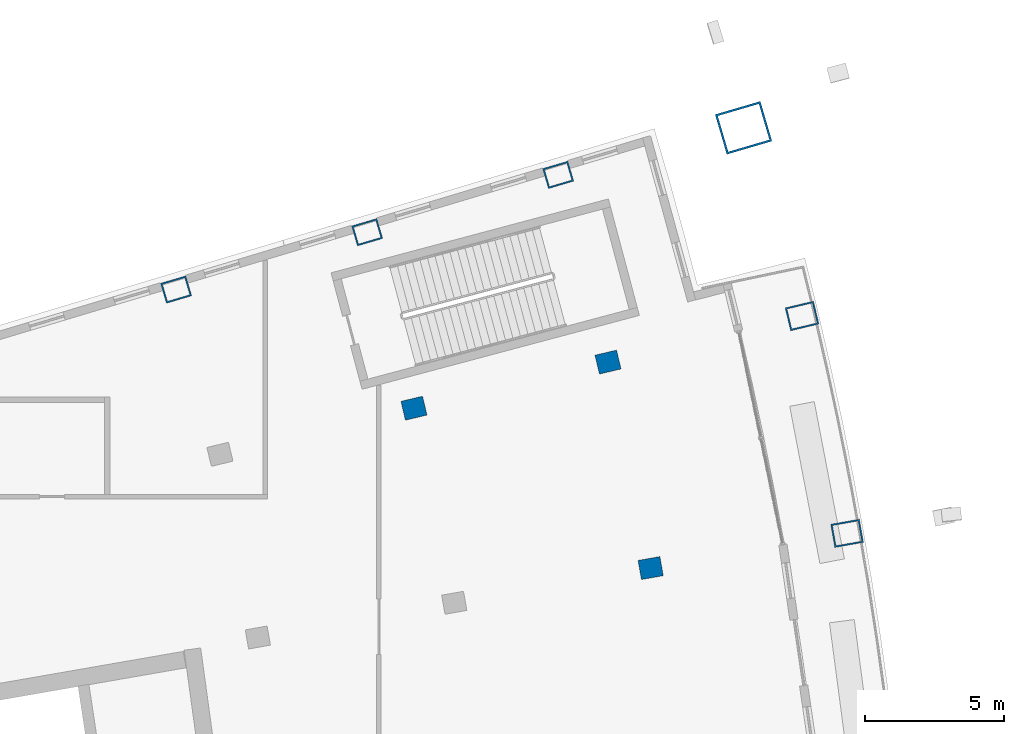
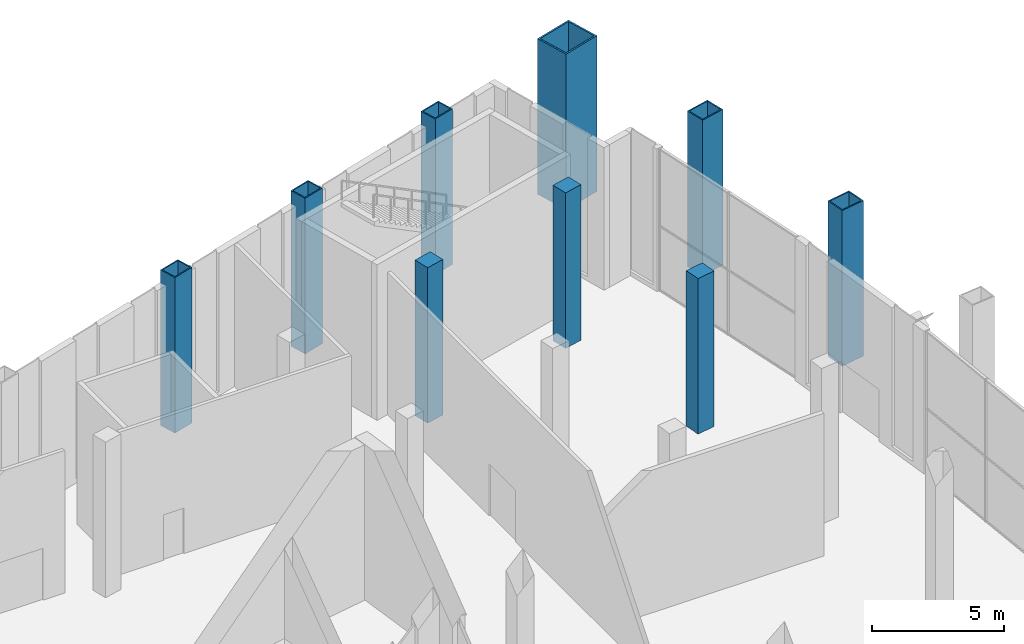
# One storey, part 6 of 24: 9 columns.
"""IFC4 building model written with IfcOpenShell, lengths in metres."""

from ifc_helpers import new_model, si_unit, direction, frame, origin, origin_2d, place, context, subcontext, project, spatial, rectangle, hollow_rectangle, extrude, material, material_profile, profile_set, type_object, element, save


model = new_model("IFC4")

# Units and contexts
model_context = context("Model", 3, precision=1e-05, world=origin(), true_north=direction((0.0, 1.0)))
body_context = subcontext(model_context, "Body", "Model", "MODEL_VIEW")
ifc_project = project(units=[si_unit("LENGTHUNIT", "METRE"), si_unit("AREAUNIT", "SQUARE_METRE"), si_unit("VOLUMEUNIT", "CUBIC_METRE"), si_unit("PLANEANGLEUNIT", "RADIAN"), si_unit("MASSUNIT", "GRAM", prefix="KILO")], contexts=[model_context])

# Site, building, storey
site_placement = place(None, origin())
site = spatial("IfcSite", under=ifc_project, at=site_placement, CompositionType="ELEMENT")
building_placement = place(site_placement, origin())
building = spatial("IfcBuilding", under=site, at=building_placement, Name="Alderwake Tower", CompositionType="ELEMENT")
storey_placement = place(building_placement, frame((0.0, 0.0, 232.39990234375)))
storey = spatial("IfcBuildingStorey", under=building, at=storey_placement, Name="L58", CompositionType="ELEMENT", Elevation=232.39990234375)

# Columns
ifc_material_1 = material(Name="Steel ASTM A572 Grade 50 concrete filled C70/85", Category="concrete")
ifc_material_profile_1 = material_profile(ifc_material_1, hollow_rectangle(XDim=0.75, YDim=0.949951171875, WallThickness=0.054931640625, at=origin_2d()), Name="BOX 950X750X55")
ifc_profile_set_1 = profile_set([ifc_material_profile_1], Name="Steel ASTM A572 Grade 50 concrete filled C70/85")
column_type_1 = type_object("IfcColumnType", Name="End column Z4", PredefinedType="COLUMN", material=ifc_profile_set_1)
for number, where, z_axis, x_axis, name in (
    (1, (31.080322265625, 93.72314453125, 0.0), (0.0, 0.0, 1.0), (-0.282582549822, 0.959242984095, 0.0), "Column R12-C2"),
    (2, (37.976318359375, 95.79345703125, 0.0), (0.0, 0.0, 1.0), (-0.282873846689, 0.959157123134, 0.0), "Column R12-C3"),
    (3, (44.872314453125, 97.86376953125, 0.0), (0.0, 0.0, 1.0), (-0.283131639396, 0.959081057457, 0.0), "Column R12-C4"),
):
    element("IfcColumn", number, at=place(storey_placement, frame(where, z_axis=z_axis, x_axis=x_axis)), inside=storey, type_object=column_type_1, Name=name, PredefinedType="COLUMN", context=body_context, shape_type="SweptSolid", body=[
        extrude(hollow_rectangle(XDim=0.75, YDim=0.949951171875, WallThickness=0.054931640625, at=origin_2d()), origin(), (0.0, 0.0, 1.0), 7.2001953125),
    ])
ifc_material_2 = material(Name="Concrete C70/85", Category="concrete")
ifc_material_profile_2 = material_profile(ifc_material_2, rectangle(XDim=0.699951171875, YDim=0.800048828125, at=origin_2d()), Name="RC 800X700")
ifc_profile_set_2 = profile_set([ifc_material_profile_2], Name="Concrete C70/85")
column_type_2 = type_object("IfcColumnType", Name="Interior column Z4", PredefinedType="COLUMN", material=ifc_profile_set_2)
for number, where, z_axis, x_axis, name in (
    (4, (48.21142578125, 83.6689453125, 0.0), (0.0, 0.0, 1.0), (-0.174108800747, 0.984726421654, 0.0), "Column R10-C4"),
    (5, (39.666748046875, 89.440185546875, 0.0), (0.0, 0.0, 1.0), (-0.231221547198, 0.972901123502, 0.0), "Column R11-C3"),
    (6, (46.671630859375, 91.10498046875, 0.0), (0.0, 0.0, 1.0), (-0.231221547198, 0.972901123502, 0.0), "Column R11-C4"),
):
    element("IfcColumn", number, at=place(storey_placement, frame(where, z_axis=z_axis, x_axis=x_axis)), inside=storey, type_object=column_type_2, Name=name, PredefinedType="COLUMN", context=body_context, shape_type="SweptSolid", body=[
        extrude(rectangle(XDim=0.699951171875, YDim=0.800048828125, at=origin_2d()), origin(), (0.0, 0.0, 1.0), 7.2001953125),
    ])
ifc_material_3 = material(Name="Steel ASTM A572 Grade 50 concrete filled C70/85", Category="concrete")
ifc_material_profile_3 = material_profile(ifc_material_3, hollow_rectangle(XDim=1.5, YDim=1.699951171875, WallThickness=0.074951171875, at=origin_2d()), Name="BOX 1700X1500X75")
ifc_profile_set_3 = profile_set([ifc_material_profile_3], Name="Steel ASTM A572 Grade 50 concrete filled C70/85")
column_type_3 = type_object("IfcColumnType", Name="Mega column Z4", PredefinedType="COLUMN", material=ifc_profile_set_3)
column_placement = place(storey_placement, frame((51.565185546875, 99.56201171875, 0.0), z_axis=(0.0, 0.0, 1.0), x_axis=(-0.281269716931, 0.959628754435, 0.0)))
element("IfcColumn", 7, at=column_placement, inside=storey, type_object=column_type_3, Name="Column R12-C5", PredefinedType="COLUMN", context=body_context, shape_type="SweptSolid", body=[
    extrude(hollow_rectangle(XDim=1.5, YDim=1.699951171875, WallThickness=0.074951171875, at=origin_2d()), origin(), (0.0, 0.0, 1.0), 7.2001953125),
])
ifc_material_4 = material(Name="Steel ASTM A572 Grade 50 concrete filled C70/85", Category="concrete")
ifc_material_profile_4 = material_profile(ifc_material_4, hollow_rectangle(XDim=0.85009765625, YDim=1.050048828125, WallThickness=0.054931640625, at=origin_2d()), Name="BOX 1050X850X55")
ifc_profile_set_4 = profile_set([ifc_material_profile_4], Name="Steel ASTM A572 Grade 50 concrete filled C70/85")
column_type_4 = type_object("IfcColumnType", Name="Perimeter column Z4", PredefinedType="COLUMN", material=ifc_profile_set_4)
for number, where, z_axis, x_axis, name in (
    (8, (55.301513671875, 84.922607421875, 0.0), (0.0, 0.0, 1.0), (-0.174108800747, 0.984726421654, 0.0), "Column R10-C5"),
    (9, (53.676513671875, 92.77001953125, 0.0), (0.0, 0.0, 1.0), (-0.231221547198, 0.972901123502, 0.0), "Column R11-C5"),
):
    element("IfcColumn", number, at=place(storey_placement, frame(where, z_axis=z_axis, x_axis=x_axis)), inside=storey, type_object=column_type_4, Name=name, PredefinedType="COLUMN", context=body_context, shape_type="SweptSolid", body=[
        extrude(hollow_rectangle(XDim=0.85009765625, YDim=1.050048828125, WallThickness=0.054931640625, at=origin_2d()), origin(), (0.0, 0.0, 1.0), 7.2001953125),
    ])

save(model, "model.ifc")
